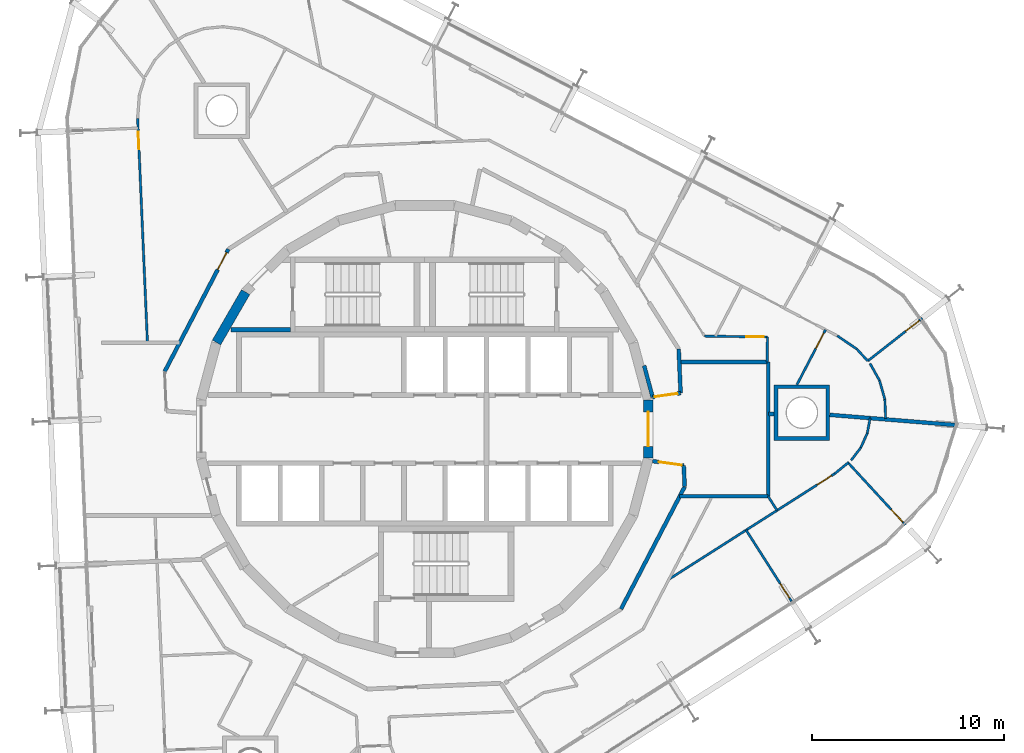
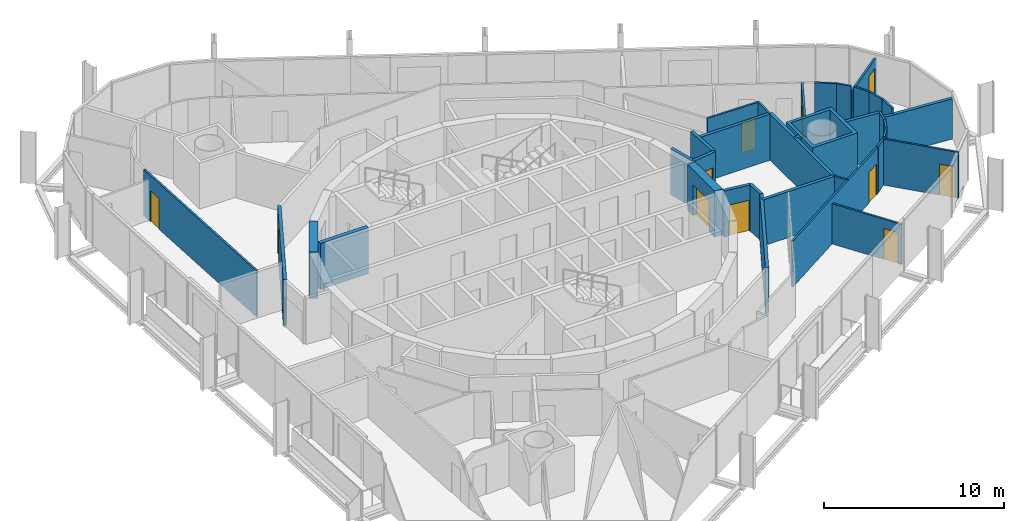
# One storey, part 14 of 17: 35 walls, 11 doors, 11 openings.
"""IFC4 building model written with IfcOpenShell, lengths in metres."""

from ifc_helpers import new_model, si_unit, direction, frame, frame_2d, origin, place, context, subcontext, project, spatial, polyline, rectangle, outline, extrude, material, layer, layer_set, type_object, element, fill, save


model = new_model("IFC4")

# Units and contexts
model_context = context("Model", 3, precision=1e-05, world=origin(), true_north=direction((0.0, 1.0)))
body_context = subcontext(model_context, "Body", "Model", "MODEL_VIEW")
ifc_project = project(units=[si_unit("LENGTHUNIT", "METRE"), si_unit("AREAUNIT", "SQUARE_METRE"), si_unit("VOLUMEUNIT", "CUBIC_METRE"), si_unit("PLANEANGLEUNIT", "RADIAN"), si_unit("MASSUNIT", "GRAM", prefix="KILO")], contexts=[model_context])

# Site, building, storey
site_placement = place(None, origin())
site = spatial("IfcSite", under=ifc_project, at=site_placement, CompositionType="ELEMENT")
building_placement = place(site_placement, origin())
building = spatial("IfcBuilding", under=site, at=building_placement, Name="Spindle Arch Residences", CompositionType="ELEMENT")
storey_placement = place(building_placement, frame((0.0, 0.0, 237.199951171875)))
storey = spatial("IfcBuildingStorey", under=building, at=storey_placement, Name="L60", CompositionType="ELEMENT", Elevation=237.199951171875)

# Wall, opening, door
ifc_material_1 = material(Name="Concrete C50/60", Category="concrete")
ifc_layer_1 = layer(ifc_material_1, 0.5)
ifc_layer_set_1 = layer_set([ifc_layer_1], Name="Core outline wall 500")
wall_type_1 = type_object("IfcWallType", Name="Core outline wall 500", PredefinedType="SHEAR", material=ifc_layer_set_1)
wall_1_placement = place(storey_placement, frame((11.647216796875, -1.516357421875, 0.0), z_axis=(0.0, 0.0, 1.0), x_axis=(0.0, 1.0, 0.0)))
wall_1 = element("IfcWall", 1, at=wall_1_placement, inside=storey, type_object=wall_type_1, Name="Core outline wall 6", PredefinedType="SHEAR", context=body_context, shape_type="SweptSolid", body=[
    extrude(rectangle(XDim=3.03271484375, YDim=0.5, at=frame_2d((1.516357421875, 0.0))), origin(), (0.0, 0.0, 1.0), 3.1201171875),
])
opening_1_placement = place(wall_1_placement, frame((0.6162109375, 0.0, 0.0)))
opening_1 = element("IfcOpeningElement", 2, at=opening_1_placement, cuts=wall_1, Name="Opening R6B1-FE01", PredefinedType="OPENING", context=body_context, shape_type="SweptSolid", body=[
    extrude(rectangle(XDim=1.800048828125, YDim=2.10009765625, at=frame_2d((0.89990234375, 1.050048828125))), frame((0.0, 0.260009765625, 0.0), z_axis=(0.0, -1.0, 0.0), x_axis=(1.0, 0.0, 0.0)), (0.0, 0.0, 1.0), 0.52001953125),
])
ifc_material_2 = material(Name="Steel, fire-resisting door", Category="steel")
door_type_1 = type_object("IfcDoorType", Name="Fire-lift lobby door 1800x2100", OperationType="DOUBLE_DOOR_SINGLE_SWING", PredefinedType="DOOR", material=ifc_material_2)
door_1_placement = place(opening_1_placement, origin())
door_1 = element("IfcDoor", 3, at=door_1_placement, inside=storey, type_object=door_type_1, Name="Fire-lift lobby door R6B1-FE01", OperationType="DOUBLE_DOOR_SINGLE_SWING", OverallHeight=2.10009765625, OverallWidth=1.800048828125, PredefinedType="DOOR", context=body_context, shape_type="SweptSolid", body=[
    extrude(rectangle(XDim=1.800048828125, YDim=2.10009765625, at=frame_2d((0.89990234375, 1.050048828125))), frame((0.0, 0.02490234375, 0.0), z_axis=(0.0, -1.0, 0.0), x_axis=(1.0, 0.0, 0.0)), (0.0, 0.0, 1.0), 0.050048828125),
])
fill(opening_1, door_1)

# Walls
wall_2_placement = place(storey_placement, frame((-9.32861328125, 7.13671875, 0.0), z_axis=(0.0, 0.0, 1.0), x_axis=(-0.500087131594, -0.865975092491, 0.0)))
element("IfcWall", 4, at=wall_2_placement, inside=storey, type_object=wall_type_1, Name="Core outline wall 16", PredefinedType="SHEAR", context=body_context, shape_type="SweptSolid", body=[
    extrude(rectangle(XDim=3.03271484375, YDim=0.5, at=frame_2d((1.516357421875, 0.0))), origin(), (0.0, 0.0, 1.0), 3.1201171875),
])
ifc_material_3 = material(Name="Calcium silicate block, plastered")
ifc_layer_2 = layer(ifc_material_3, 0.199951171875)
ifc_layer_set_2 = layer_set([ifc_layer_2], Name="Fire-lift lobby bay wall 200")
wall_type_2 = type_object("IfcWallType", Name="Fire-lift lobby bay wall 200", PredefinedType="STANDARD", material=ifc_layer_set_2)
wall_3_placement = place(storey_placement, frame((11.8701171875, 1.668212890625, 0.0), z_axis=(0.0, 0.0, 1.0), x_axis=(-0.258836880648, 0.965921047093, 0.0)))
element("IfcWall", 5, at=wall_3_placement, inside=storey, type_object=wall_type_2, Name="Fire-lift lobby bay wall R6B1-W001", PredefinedType="STANDARD", context=body_context, shape_type="SweptSolid", body=[
    extrude(rectangle(XDim=1.695068359375, YDim=0.199951171875, at=frame_2d((0.84765625, 0.0))), origin(), (0.0, 0.0, 1.0), 3.1201171875),
])

# Wall, opening, door
wall_4_placement = place(storey_placement, frame((11.8701171875, 1.668212890625, 0.0), z_axis=(0.0, 0.0, 1.0), x_axis=(0.990267985606, 0.139173692496, 0.0)))
wall_4 = element("IfcWall", 6, at=wall_4_placement, inside=storey, type_object=wall_type_2, Name="Fire-lift lobby bay wall R6B1-W002", PredefinedType="STANDARD", context=body_context, shape_type="SweptSolid", body=[
    extrude(rectangle(XDim=1.475341796875, YDim=0.199951171875, at=frame_2d((0.73779296875, 0.0))), origin(), (0.0, 0.0, 1.0), 3.1201171875),
])
opening_2_placement = place(wall_4_placement, frame((0.110107421875, 0.0, 0.0)))
opening_2 = element("IfcOpeningElement", 7, at=opening_2_placement, cuts=wall_4, Name="Opening R6B1-CD01", PredefinedType="OPENING", context=body_context, shape_type="SweptSolid", body=[
    extrude(rectangle(XDim=1.199951171875, YDim=2.10009765625, at=frame_2d((0.60009765625, 1.050048828125))), frame((0.0, 0.10986328125, 0.0), z_axis=(0.0, -1.0, 0.0), x_axis=(1.0, 0.0, 0.0)), (0.0, 0.0, 1.0), 0.219970703125),
])
ifc_material_4 = material(Name="Steel, fire-resisting door", Category="steel")
door_type_2 = type_object("IfcDoorType", Name="Corridor division door 1200x2100", OperationType="NOTDEFINED", PredefinedType="DOOR", material=ifc_material_4)
door_2_placement = place(opening_2_placement, origin())
door_2 = element("IfcDoor", 8, at=door_2_placement, inside=storey, type_object=door_type_2, Name="Corridor division door R6B1-CD01", OperationType="DOUBLE_DOOR_SINGLE_SWING", OverallHeight=2.10009765625, OverallWidth=1.199951171875, PredefinedType="DOOR", context=body_context, shape_type="SweptSolid", body=[
    extrude(rectangle(XDim=1.199951171875, YDim=2.10009765625, at=frame_2d((0.60009765625, 1.050048828125))), frame((0.0, 0.02490234375, 0.0), z_axis=(0.0, -1.0, 0.0), x_axis=(1.0, 0.0, 0.0)), (0.0, 0.0, 1.0), 0.050048828125),
])
fill(opening_2, door_2)

# Walls
wall_5_placement = place(storey_placement, frame((13.3310546875, 1.87353515625, 0.0), z_axis=(0.0, 0.0, 1.0), x_axis=(-0.043621457762, 0.999048131184, 0.0)))
element("IfcWall", 9, at=wall_5_placement, inside=storey, type_object=wall_type_2, Name="Fire-lift lobby bay wall R6B1-W003", PredefinedType="STANDARD", context=body_context, shape_type="SweptSolid", body=[
    extrude(rectangle(XDim=2.30029296875, YDim=0.199951171875, at=frame_2d((1.150146484375, 0.0))), origin(), (0.0, 0.0, 1.0), 3.1201171875),
])
wall_6_placement = place(storey_placement, frame((10.22802734375, -9.372314453125, 0.0), z_axis=(0.0, 0.0, 1.0), x_axis=(0.461759464021, 0.887005184532, 0.0)))
element("IfcWall", 10, at=wall_6_placement, inside=storey, type_object=wall_type_2, Name="Fire-lift lobby bay wall R6B1-W013", PredefinedType="STANDARD", context=body_context, shape_type="SweptSolid", body=[
    extrude(rectangle(XDim=7.18115234375, YDim=0.199951171875, at=frame_2d((3.590576171875, 0.0))), origin(), (0.0, 0.0, 1.0), 3.1201171875),
])
wall_7_placement = place(storey_placement, frame((13.5439453125, -3.002685546875, 0.0), z_axis=(0.0, 0.0, 1.0), x_axis=(-0.043666917606, 0.999046145234, 0.0)))
element("IfcWall", 11, at=wall_7_placement, inside=storey, type_object=wall_type_2, Name="Fire-lift lobby bay wall R6B1-W014", PredefinedType="STANDARD", context=body_context, shape_type="SweptSolid", body=[
    extrude(rectangle(XDim=1.10693359375, YDim=0.199951171875, at=frame_2d((0.553466796875, 0.0))), origin(), (0.0, 0.0, 1.0), 3.1201171875),
])

# Wall, opening, door
wall_8_placement = place(storey_placement, frame((13.49560546875, -1.896728515625, 0.0), z_axis=(0.0, 0.0, 1.0), x_axis=(-0.99026234641, 0.139213811391, 0.0)))
wall_8 = element("IfcWall", 12, at=wall_8_placement, inside=storey, type_object=wall_type_2, Name="Fire-lift lobby bay wall R6B1-W015", PredefinedType="STANDARD", context=body_context, shape_type="SweptSolid", body=[
    extrude(rectangle(XDim=1.641357421875, YDim=0.199951171875, at=frame_2d((0.82080078125, 0.0))), origin(), (0.0, 0.0, 1.0), 3.1201171875),
])
opening_3_placement = place(wall_8_placement, frame((0.110107421875, 0.0, 0.0)))
opening_3 = element("IfcOpeningElement", 13, at=opening_3_placement, cuts=wall_8, Name="Opening R6B1-CD02", PredefinedType="OPENING", context=body_context, shape_type="SweptSolid", body=[
    extrude(rectangle(XDim=1.199951171875, YDim=2.10009765625, at=frame_2d((0.60009765625, 1.050048828125))), frame((0.0, 0.10986328125, 0.0), z_axis=(0.0, -1.0, 0.0), x_axis=(1.0, 0.0, 0.0)), (0.0, 0.0, 1.0), 0.219970703125),
])
door_3_placement = place(opening_3_placement, origin())
door_3 = element("IfcDoor", 14, at=door_3_placement, inside=storey, type_object=door_type_2, Name="Corridor division door R6B1-CD02", OperationType="DOUBLE_DOOR_SINGLE_SWING", OverallHeight=2.10009765625, OverallWidth=1.199951171875, PredefinedType="DOOR", context=body_context, shape_type="SweptSolid", body=[
    extrude(rectangle(XDim=1.199951171875, YDim=2.10009765625, at=frame_2d((0.60009765625, 1.050048828125))), frame((0.0, 0.02490234375, 0.0), z_axis=(0.0, -1.0, 0.0), x_axis=(1.0, 0.0, 0.0)), (0.0, 0.0, 1.0), 0.050048828125),
])
fill(opening_3, door_3)

# Walls
wall_9_placement = place(storey_placement, frame((17.83740234375, 3.5, 0.0), z_axis=(0.0, 0.0, 1.0), x_axis=(-1.0, 0.0, 0.0)))
element("IfcWall", 15, at=wall_9_placement, inside=storey, type_object=wall_type_2, Name="Fire-lift lobby bay wall R6B1-W024", PredefinedType="STANDARD", context=body_context, shape_type="SweptSolid", body=[
    extrude(rectangle(XDim=4.577392578125, YDim=0.199951171875, at=frame_2d((2.28857421875, 0.0))), origin(), (0.0, 0.0, 1.0), 3.1201171875),
])
wall_10_placement = place(storey_placement, frame((17.89990234375, -3.5, 0.0), z_axis=(0.0, 0.0, 1.0), x_axis=(0.0, 1.0, 0.0)))
element("IfcWall", 16, at=wall_10_placement, inside=storey, type_object=wall_type_2, Name="Fire-lift lobby bay wall R6B1-W025", PredefinedType="STANDARD", context=body_context, shape_type="SweptSolid", body=[
    extrude(rectangle(XDim=7.0, YDim=0.199951171875, at=frame_2d((3.5, 0.0))), origin(), (0.0, 0.0, 1.0), 3.1201171875),
])
wall_11_placement = place(storey_placement, frame((13.284912109375, -3.5, 0.0), z_axis=(0.0, 0.0, 1.0), x_axis=(1.0, 0.0, 0.0)))
element("IfcWall", 17, at=wall_11_placement, inside=storey, type_object=wall_type_2, Name="Fire-lift lobby bay wall R6B1-W026", PredefinedType="STANDARD", context=body_context, shape_type="SweptSolid", body=[
    extrude(rectangle(XDim=4.60107421875, YDim=0.199951171875, at=frame_2d((2.300537109375, 0.0))), origin(), (0.0, 0.0, 1.0), 3.1201171875),
])
ifc_material_5 = material(Name="Plasterboard on steel studs", Category="steel")
ifc_layer_3 = layer(ifc_material_5, 0.1201171875)
ifc_layer_set_3 = layer_set([ifc_layer_3], Name="Flat partition 120")
wall_type_3 = type_object("IfcWallType", Name="Flat partition 120", PredefinedType="PARTITIONING", material=ifc_layer_set_3)
wall_12_placement = place(storey_placement, frame((17.83740234375, 3.5, 0.0), z_axis=(0.0, 0.0, 1.0), x_axis=(0.014687681009, 0.999892130195, 0.0)))
element("IfcWall", 18, at=wall_12_placement, inside=storey, type_object=wall_type_3, Name="Flat partition R6B1-W037", PredefinedType="PARTITIONING", context=body_context, shape_type="SweptSolid", body=[
    extrude(rectangle(XDim=1.296630859375, YDim=0.1201171875, at=frame_2d((0.6484375, 0.0))), origin(), (0.0, 0.0, 1.0), 3.1201171875),
])

# Wall, opening, door
wall_13_placement = place(storey_placement, frame((17.8564453125, 4.79638671875, 0.0), z_axis=(0.0, 0.0, 1.0), x_axis=(-0.999890074231, 0.014826983962, 0.0)))
wall_13 = element("IfcWall", 19, at=wall_13_placement, inside=storey, type_object=wall_type_3, Name="Flat partition R6B1-W038", PredefinedType="PARTITIONING", context=body_context, shape_type="SweptSolid", body=[
    extrude(rectangle(XDim=3.276611328125, YDim=0.1201171875, at=frame_2d((1.63818359375, 0.0))), origin(), (0.0, 0.0, 1.0), 3.1201171875),
])
opening_4_placement = place(wall_13_placement, frame((0.199951171875, 0.0, 0.0)))
opening_4 = element("IfcOpeningElement", 20, at=opening_4_placement, cuts=wall_13, Name="Opening R6B1-ID01", PredefinedType="OPENING", context=body_context, shape_type="SweptSolid", body=[
    extrude(rectangle(XDim=0.89990234375, YDim=2.10009765625, at=frame_2d((0.449951171875, 1.050048828125))), frame((0.0, 0.070068359375, 0.0), z_axis=(0.0, -1.0, 0.0), x_axis=(1.0, 0.0, 0.0)), (0.0, 0.0, 1.0), 0.14013671875),
])
ifc_material_6 = material(Name="Timber door set", Category="wood")
door_type_3 = type_object("IfcDoorType", Name="Room door 900x2100", OperationType="NOTDEFINED", PredefinedType="DOOR", material=ifc_material_6)
door_4_placement = place(opening_4_placement, origin())
door_4 = element("IfcDoor", 21, at=door_4_placement, inside=storey, type_object=door_type_3, Name="Room door R6B1-ID01", OperationType="SINGLE_SWING_LEFT", OverallHeight=2.10009765625, OverallWidth=0.89990234375, PredefinedType="DOOR", context=body_context, shape_type="SweptSolid", body=[
    extrude(rectangle(XDim=0.89990234375, YDim=2.10009765625, at=frame_2d((0.449951171875, 1.050048828125))), frame((0.0, 0.02490234375, 0.0), z_axis=(0.0, -1.0, 0.0), x_axis=(1.0, 0.0, 0.0)), (0.0, 0.0, 1.0), 0.050048828125),
])
fill(opening_4, door_4)

# Walls
for number, where, z_axis, x_axis, name in (
    (22, (23.197265625, 3.419677734375, 0.0), (0.0, 0.0, 1.0), (0.487315027955, -0.873226238456, 0.0), "Flat partition R6B1-W040"),
    (23, (23.6923828125, 2.532470703125, 0.0), (0.0, 0.0, 1.0), (0.272721198141, -0.962093107804, 0.0), "Flat partition R6B1-W041"),
):
    element("IfcWall", number, at=place(storey_placement, frame(where, z_axis=z_axis, x_axis=x_axis)), inside=storey, type_object=wall_type_3, Name=name, PredefinedType="PARTITIONING", context=body_context, shape_type="SweptSolid", body=[
        extrude(rectangle(XDim=1.01611328125, YDim=0.1201171875, at=frame_2d((0.508056640625, 0.0))), origin(), (0.0, 0.0, 1.0), 3.1201171875),
    ])
wall_14_placement = place(storey_placement, frame((23.969482421875, 1.554931640625, 0.0), z_axis=(0.0, 0.0, 1.0), x_axis=(0.043739672645, -0.999042962558, 0.0)))
element("IfcWall", 24, at=wall_14_placement, inside=storey, type_object=wall_type_3, Name="Flat partition R6B1-W042", PredefinedType="PARTITIONING", context=body_context, shape_type="SweptSolid", body=[
    extrude(rectangle(XDim=1.015869140625, YDim=0.1201171875, at=frame_2d((0.5078125, 0.0))), origin(), (0.0, 0.0, 1.0), 3.1201171875),
])

# Wall, opening, door
wall_15_placement = place(storey_placement, frame((20.88232421875, 5.177001953125, 0.0), z_axis=(0.0, 0.0, 1.0), x_axis=(-0.461706806129, -0.887032595328, 0.0)))
wall_15 = element("IfcWall", 25, at=wall_15_placement, inside=storey, type_object=wall_type_3, Name="Flat partition R6B1-W044", PredefinedType="PARTITIONING", context=body_context, shape_type="SweptSolid", body=[
    extrude(rectangle(XDim=3.234619140625, YDim=0.1201171875, at=frame_2d((1.6171875, 0.0))), origin(), (0.0, 0.0, 1.0), 3.1201171875),
])
opening_5_placement = place(wall_15_placement, frame((0.199951171875, 0.0, 0.0)))
opening_5 = element("IfcOpeningElement", 26, at=opening_5_placement, cuts=wall_15, Name="Opening R6B1-ID02", PredefinedType="OPENING", context=body_context, shape_type="SweptSolid", body=[
    extrude(rectangle(XDim=0.89990234375, YDim=2.10009765625, at=frame_2d((0.449951171875, 1.050048828125))), frame((0.0, 0.070068359375, 0.0), z_axis=(0.0, -1.0, 0.0), x_axis=(1.0, 0.0, 0.0)), (0.0, 0.0, 1.0), 0.14013671875),
])
door_5_placement = place(opening_5_placement, origin())
door_5 = element("IfcDoor", 27, at=door_5_placement, inside=storey, type_object=door_type_3, Name="Room door R6B1-ID02", OperationType="SINGLE_SWING_LEFT", OverallHeight=2.10009765625, OverallWidth=0.89990234375, PredefinedType="DOOR", context=body_context, shape_type="SweptSolid", body=[
    extrude(rectangle(XDim=0.89990234375, YDim=2.10009765625, at=frame_2d((0.449951171875, 1.050048828125))), frame((0.0, 0.02490234375, 0.0), z_axis=(0.0, -1.0, 0.0), x_axis=(1.0, 0.0, 0.0)), (0.0, 0.0, 1.0), 0.050048828125),
])
fill(opening_5, door_5)

# Walls
wall_16_placement = place(storey_placement, frame((23.080078125, 3.54736328125, 0.0), z_axis=(0.0, 0.0, 1.0), x_axis=(-0.67556712677, 0.737298485844, 0.0)))
element("IfcWall", 28, at=wall_16_placement, inside=storey, type_object=wall_type_3, Name="Flat partition R6B1-W045", PredefinedType="PARTITIONING", context=body_context, shape_type="SweptSolid", body=[
    extrude(rectangle(XDim=0.84228515625, YDim=0.1201171875, at=frame_2d((0.421142578125, 0.0))), origin(), (0.0, 0.0, 1.0), 3.1201171875),
])
wall_17_placement = place(storey_placement, frame((22.510986328125, 4.16845703125, 0.0), z_axis=(0.0, 0.0, 1.0), x_axis=(-0.82733707504, 0.561705763068, 0.0)))
element("IfcWall", 29, at=wall_17_placement, inside=storey, type_object=wall_type_3, Name="Flat partition R6B1-W046", PredefinedType="PARTITIONING", context=body_context, shape_type="SweptSolid", body=[
    extrude(rectangle(XDim=1.22705078125, YDim=0.1201171875, at=frame_2d((0.613525390625, 0.0))), origin(), (0.0, 0.0, 1.0), 3.1201171875),
])

# Wall, opening, door
wall_18_placement = place(storey_placement, frame((-14.95458984375, 16.18701171875, 0.0), z_axis=(0.0, 0.0, 1.0), x_axis=(0.04360777668, -0.999048728448, 0.0)))
wall_18 = element("IfcWall", 30, at=wall_18_placement, inside=storey, type_object=wall_type_3, Name="Flat partition R6B1-W068", PredefinedType="PARTITIONING", context=body_context, shape_type="SweptSolid", body=[
    extrude(rectangle(XDim=11.6787109375, YDim=0.1201171875, at=frame_2d((5.83935546875, 0.0))), origin(), (0.0, 0.0, 1.0), 3.1201171875),
])
opening_6_placement = place(wall_18_placement, frame((0.708740234375, 0.0, 0.0)))
opening_6 = element("IfcOpeningElement", 31, at=opening_6_placement, cuts=wall_18, Name="Opening R6B1-ID11", PredefinedType="OPENING", context=body_context, shape_type="SweptSolid", body=[
    extrude(rectangle(XDim=0.89990234375, YDim=2.10009765625, at=frame_2d((0.449951171875, 1.050048828125))), frame((0.0, 0.070068359375, 0.0), z_axis=(0.0, -1.0, 0.0), x_axis=(1.0, 0.0, 0.0)), (0.0, 0.0, 1.0), 0.14013671875),
])
door_6_placement = place(opening_6_placement, origin())
door_6 = element("IfcDoor", 32, at=door_6_placement, inside=storey, type_object=door_type_3, Name="Room door R6B1-ID11", OperationType="SINGLE_SWING_LEFT", OverallHeight=2.10009765625, OverallWidth=0.89990234375, PredefinedType="DOOR", context=body_context, shape_type="SweptSolid", body=[
    extrude(rectangle(XDim=0.89990234375, YDim=2.10009765625, at=frame_2d((0.449951171875, 1.050048828125))), frame((0.0, 0.02490234375, 0.0), z_axis=(0.0, -1.0, 0.0), x_axis=(1.0, 0.0, 0.0)), (0.0, 0.0, 1.0), 0.050048828125),
])
fill(opening_6, door_6)

wall_19_placement = place(storey_placement, frame((21.3681640625, -2.31591796875, 0.0), z_axis=(0.0, 0.0, 1.0), x_axis=(-0.843388627156, -0.537304032726, 0.0)))
wall_19 = element("IfcWall", 33, at=wall_19_placement, inside=storey, type_object=wall_type_3, Name="Flat partition R6B1-W098", PredefinedType="PARTITIONING", context=body_context, shape_type="SweptSolid", body=[
    extrude(rectangle(XDim=10.246337890625, YDim=0.1201171875, at=frame_2d((5.123046875, 0.0))), origin(), (0.0, 0.0, 1.0), 3.1201171875),
])
opening_7_placement = place(wall_19_placement, frame((0.199951171875, 0.0, 0.0)))
opening_7 = element("IfcOpeningElement", 34, at=opening_7_placement, cuts=wall_19, Name="Opening R6B1-ID25", PredefinedType="OPENING", context=body_context, shape_type="SweptSolid", body=[
    extrude(rectangle(XDim=0.89990234375, YDim=2.10009765625, at=frame_2d((0.449951171875, 1.050048828125))), frame((0.0, 0.070068359375, 0.0), z_axis=(0.0, -1.0, 0.0), x_axis=(1.0, 0.0, 0.0)), (0.0, 0.0, 1.0), 0.14013671875),
])
door_7_placement = place(opening_7_placement, origin())
door_7 = element("IfcDoor", 35, at=door_7_placement, inside=storey, type_object=door_type_3, Name="Room door R6B1-ID25", OperationType="SINGLE_SWING_LEFT", OverallHeight=2.10009765625, OverallWidth=0.89990234375, PredefinedType="DOOR", context=body_context, shape_type="SweptSolid", body=[
    extrude(rectangle(XDim=0.89990234375, YDim=2.10009765625, at=frame_2d((0.449951171875, 1.050048828125))), frame((0.0, 0.02490234375, 0.0), z_axis=(0.0, -1.0, 0.0), x_axis=(1.0, 0.0, 0.0)), (0.0, 0.0, 1.0), 0.050048828125),
])
fill(opening_7, door_7)

# Walls
wall_20_placement = place(storey_placement, frame((18.354736328125, -4.235595703125, 0.0), z_axis=(0.0, 0.0, 1.0), x_axis=(-0.537400605047, 0.843327095316, 0.0)))
element("IfcWall", 36, at=wall_20_placement, inside=storey, type_object=wall_type_3, Name="Flat partition R6B1-W100", PredefinedType="PARTITIONING", context=body_context, shape_type="SweptSolid", body=[
    extrude(rectangle(XDim=0.872314453125, YDim=0.1201171875, at=frame_2d((0.43603515625, 0.0))), origin(), (0.0, 0.0, 1.0), 3.1201171875),
])
wall_21_placement = place(storey_placement, frame((22.08837890625, -1.72900390625, 0.0), z_axis=(0.0, 0.0, 1.0), x_axis=(-0.775196856296, -0.631719743232, 0.0)))
element("IfcWall", 37, at=wall_21_placement, inside=storey, type_object=wall_type_3, Name="Flat partition R6B1-W101", PredefinedType="PARTITIONING", context=body_context, shape_type="SweptSolid", body=[
    extrude(rectangle(XDim=0.928955078125, YDim=0.1201171875, at=frame_2d((0.46435546875, 0.0))), origin(), (0.0, 0.0, 1.0), 3.1201171875),
])

# Wall, opening, door
wall_22_placement = place(storey_placement, frame((25.044921875, -4.995849609375, 0.0), z_axis=(0.0, 0.0, 1.0), x_axis=(-0.677690998913, 0.735346795731, 0.0)))
wall_22 = element("IfcWall", 38, at=wall_22_placement, inside=storey, type_object=wall_type_3, Name="Flat partition R6B1-W102", PredefinedType="PARTITIONING", context=body_context, shape_type="SweptSolid", body=[
    extrude(rectangle(XDim=4.407958984375, YDim=0.1201171875, at=frame_2d((2.2041015625, 0.0))), origin(), (0.0, 0.0, 1.0), 3.1201171875),
])
opening_8_placement = place(wall_22_placement, frame((0.199951171875, 0.0, 0.0)))
opening_8 = element("IfcOpeningElement", 39, at=opening_8_placement, cuts=wall_22, Name="Opening R6B1-ID26", PredefinedType="OPENING", context=body_context, shape_type="SweptSolid", body=[
    extrude(rectangle(XDim=0.89990234375, YDim=2.10009765625, at=frame_2d((0.449951171875, 1.050048828125))), frame((0.0, 0.070068359375, 0.0), z_axis=(0.0, -1.0, 0.0), x_axis=(1.0, 0.0, 0.0)), (0.0, 0.0, 1.0), 0.14013671875),
])
door_8_placement = place(opening_8_placement, origin())
door_8 = element("IfcDoor", 40, at=door_8_placement, inside=storey, type_object=door_type_3, Name="Room door R6B1-ID26", OperationType="SINGLE_SWING_RIGHT", OverallHeight=2.10009765625, OverallWidth=0.89990234375, PredefinedType="DOOR", context=body_context, shape_type="SweptSolid", body=[
    extrude(rectangle(XDim=0.89990234375, YDim=2.10009765625, at=frame_2d((0.449951171875, 1.050048828125))), frame((0.0, 0.02490234375, 0.0), z_axis=(0.0, -1.0, 0.0), x_axis=(1.0, 0.0, 0.0)), (0.0, 0.0, 1.0), 0.050048828125),
])
fill(opening_8, door_8)

# Walls
wall_23_placement = place(storey_placement, frame((22.210693359375, -1.62939453125, 0.0), z_axis=(0.0, 0.0, 1.0), x_axis=(0.60891358868, 0.793236560882, 0.0)))
element("IfcWall", 41, at=wall_23_placement, inside=storey, type_object=wall_type_3, Name="Flat partition R6B1-W103", PredefinedType="PARTITIONING", context=body_context, shape_type="SweptSolid", body=[
    extrude(rectangle(XDim=0.8291015625, YDim=0.1201171875, at=frame_2d((0.41455078125, 0.0))), origin(), (0.0, 0.0, 1.0), 3.1201171875),
])
wall_24_placement = place(storey_placement, frame((22.715576171875, -0.9716796875, 0.0), z_axis=(0.0, 0.0, 1.0), x_axis=(0.409335118315, 0.91238410821, 0.0)))
element("IfcWall", 42, at=wall_24_placement, inside=storey, type_object=wall_type_3, Name="Flat partition R6B1-W104", PredefinedType="PARTITIONING", context=body_context, shape_type="SweptSolid", body=[
    extrude(rectangle(XDim=0.828369140625, YDim=0.1201171875, at=frame_2d((0.4140625, 0.0))), origin(), (0.0, 0.0, 1.0), 3.1201171875),
])
wall_25_placement = place(storey_placement, frame((23.0546875, -0.2158203125, 0.0), z_axis=(0.0, 0.0, 1.0), x_axis=(0.18778445718, 0.982210261421, 0.0)))
element("IfcWall", 43, at=wall_25_placement, inside=storey, type_object=wall_type_3, Name="Flat partition R6B1-W105", PredefinedType="PARTITIONING", context=body_context, shape_type="SweptSolid", body=[
    extrude(rectangle(XDim=0.80078125, YDim=0.1201171875, at=frame_2d((0.400390625, 0.0))), origin(), (0.0, 0.0, 1.0), 3.1201171875),
])

# Wall, opening, door
ifc_material_7 = material(Name="Plasterboard on steel studs", Category="steel")
ifc_layer_4 = layer(ifc_material_7, 0.1201171875)
ifc_layer_set_4 = layer_set([ifc_layer_4], Name="Flat partition 120 under beam 2730")
wall_type_4 = type_object("IfcWallType", Name="Flat partition 120 under beam 2730", PredefinedType="PARTITIONING", material=ifc_layer_set_4)
wall_26_placement = place(storey_placement, frame((25.921630859375, 5.775146484375, 0.0), z_axis=(0.0, 0.0, 1.0), x_axis=(-0.786972505765, -0.616988067283, 0.0)))
wall_26 = element("IfcWall", 44, at=wall_26_placement, inside=storey, type_object=wall_type_4, Name="Flat partition R6B1-W043", PredefinedType="PARTITIONING", context=body_context, shape_type="SweptSolid", body=[
    extrude(rectangle(XDim=3.61083984375, YDim=0.1201171875, at=frame_2d((1.805419921875, 0.0))), origin(), (0.0, 0.0, 1.0), 2.72998046875),
])
opening_9_placement = place(wall_26_placement, frame((0.199951171875, 0.0, 0.0)))
opening_9 = element("IfcOpeningElement", 45, at=opening_9_placement, cuts=wall_26, Name="Opening R6B1-ID05", PredefinedType="OPENING", context=body_context, shape_type="SweptSolid", body=[
    extrude(rectangle(XDim=0.89990234375, YDim=2.10009765625, at=frame_2d((0.449951171875, 1.050048828125))), frame((0.0, 0.070068359375, 0.0), z_axis=(0.0, -1.0, 0.0), x_axis=(1.0, 0.0, 0.0)), (0.0, 0.0, 1.0), 0.14013671875),
])
door_9_placement = place(opening_9_placement, origin())
door_9 = element("IfcDoor", 46, at=door_9_placement, inside=storey, type_object=door_type_3, Name="Room door R6B1-ID05", OperationType="SINGLE_SWING_LEFT", OverallHeight=2.10009765625, OverallWidth=0.89990234375, PredefinedType="DOOR", context=body_context, shape_type="SweptSolid", body=[
    extrude(rectangle(XDim=0.89990234375, YDim=2.10009765625, at=frame_2d((0.449951171875, 1.050048828125))), frame((0.0, 0.02490234375, 0.0), z_axis=(0.0, -1.0, 0.0), x_axis=(1.0, 0.0, 0.0)), (0.0, 0.0, 1.0), 0.050048828125),
])
fill(opening_9, door_9)

wall_27_placement = place(storey_placement, frame((19.108642578125, -8.972412109375, 0.0), z_axis=(0.0, 0.0, 1.0), x_axis=(-0.537345751125, 0.843362047847, 0.0)))
wall_27 = element("IfcWall", 47, at=wall_27_placement, inside=storey, type_object=wall_type_4, Name="Flat partition R6B1-W099", PredefinedType="PARTITIONING", context=body_context, shape_type="SweptSolid", body=[
    extrude(rectangle(XDim=4.39990234375, YDim=0.1201171875, at=frame_2d((2.199951171875, 0.0))), origin(), (0.0, 0.0, 1.0), 2.72998046875),
])
opening_10_placement = place(wall_27_placement, frame((0.199951171875, 0.0, 0.0)))
opening_10 = element("IfcOpeningElement", 48, at=opening_10_placement, cuts=wall_27, Name="Opening R6B1-ID24", PredefinedType="OPENING", context=body_context, shape_type="SweptSolid", body=[
    extrude(rectangle(XDim=0.89990234375, YDim=2.10009765625, at=frame_2d((0.449951171875, 1.050048828125))), frame((0.0, 0.070068359375, 0.0), z_axis=(0.0, -1.0, 0.0), x_axis=(1.0, 0.0, 0.0)), (0.0, 0.0, 1.0), 0.14013671875),
])
door_10_placement = place(opening_10_placement, origin())
door_10 = element("IfcDoor", 49, at=door_10_placement, inside=storey, type_object=door_type_3, Name="Room door R6B1-ID24", OperationType="SINGLE_SWING_RIGHT", OverallHeight=2.10009765625, OverallWidth=0.89990234375, PredefinedType="DOOR", context=body_context, shape_type="SweptSolid", body=[
    extrude(rectangle(XDim=0.89990234375, YDim=2.10009765625, at=frame_2d((0.449951171875, 1.050048828125))), frame((0.0, 0.02490234375, 0.0), z_axis=(0.0, -1.0, 0.0), x_axis=(1.0, 0.0, 0.0)), (0.0, 0.0, 1.0), 0.050048828125),
])
fill(opening_10, door_10)

# Walls
ifc_material_8 = material(Name="Calcium silicate block, plastered")
ifc_layer_5 = layer(ifc_material_8, 0.199951171875)
ifc_layer_set_5 = layer_set([ifc_layer_5], Name="Flat party wall 200")
wall_type_5 = type_object("IfcWallType", Name="Flat party wall 200", PredefinedType="STANDARD", material=ifc_layer_set_5)
wall_28_placement = place(storey_placement, frame((21.10009765625, 0.74072265625, 0.0), z_axis=(0.0, 0.0, 1.0), x_axis=(0.996757677143, -0.080461997598, 0.0)))
element("IfcWall", 50, at=wall_28_placement, inside=storey, type_object=wall_type_5, Name="Flat party wall R6B1-W029", PredefinedType="STANDARD", context=body_context, shape_type="SweptSolid", body=[
    extrude(rectangle(XDim=2.11181640625, YDim=0.199951171875, at=frame_2d((1.055908203125, 0.0))), origin(), (0.0, 0.0, 1.0), 3.1201171875),
])
wall_29_placement = place(storey_placement, frame((17.919921875, 0.782470703125, 0.0), z_axis=(0.0, 0.0, 1.0), x_axis=(0.999051221661, 0.04355061995, 0.0)))
element("IfcWall", 51, at=wall_29_placement, inside=storey, type_object=wall_type_5, Name="Flat party wall R6B1-W030", PredefinedType="STANDARD", context=body_context, shape_type="SweptSolid", body=[
    extrude(rectangle(XDim=0.2802734375, YDim=0.199951171875, at=frame_2d((0.14013671875, 0.0))), origin(), (0.0, 0.0, 1.0), 3.1201171875),
])
ifc_material_9 = material(Name="Calcium silicate block, plastered")
ifc_layer_6 = layer(ifc_material_9, 0.199951171875)
ifc_layer_set_6 = layer_set([ifc_layer_6], Name="Flat party wall 200 under beam 2730")
wall_type_6 = type_object("IfcWallType", Name="Flat party wall 200 under beam 2730", PredefinedType="STANDARD", material=ifc_layer_set_6)
wall_30_placement = place(storey_placement, frame((23.205078125, 0.57080078125, 0.0), z_axis=(0.0, 0.0, 1.0), x_axis=(0.996747395793, -0.080589260944, 0.0)))
element("IfcWall", 52, at=wall_30_placement, inside=storey, type_object=wall_type_6, Name="Flat party wall R6B1-W028", PredefinedType="STANDARD", context=body_context, shape_type="SweptSolid", body=[
    extrude(rectangle(XDim=4.426025390625, YDim=0.199951171875, at=frame_2d((2.212890625, 0.0))), origin(), (0.0, 0.0, 1.0), 2.72998046875),
])

# Wall, opening, door
ifc_material_10 = material(Name="Calcium silicate block, plastered")
ifc_layer_7 = layer(ifc_material_10, 0.199951171875)
ifc_layer_set_7 = layer_set([ifc_layer_7], Name="Lift lobby bay wall 200")
wall_type_7 = type_object("IfcWallType", Name="Lift lobby bay wall 200", PredefinedType="STANDARD", material=ifc_layer_set_7)
wall_31_placement = place(storey_placement, frame((-10.22802734375, 9.372314453125, 0.0), z_axis=(0.0, 0.0, 1.0), x_axis=(-0.461759464021, -0.887005184532, 0.0)))
wall_31 = element("IfcWall", 53, at=wall_31_placement, inside=storey, type_object=wall_type_7, Name="Lift lobby bay wall R6B1-W007", PredefinedType="STANDARD", context=body_context, shape_type="SweptSolid", body=[
    extrude(rectangle(XDim=7.18115234375, YDim=0.199951171875, at=frame_2d((3.590576171875, 0.0))), origin(), (0.0, 0.0, 1.0), 3.1201171875),
])
opening_11_placement = place(wall_31_placement, frame((0.199951171875, 0.0, 0.0)))
opening_11 = element("IfcOpeningElement", 54, at=opening_11_placement, cuts=wall_31, Name="Opening R6B1-FD03", PredefinedType="OPENING", context=body_context, shape_type="SweptSolid", body=[
    extrude(rectangle(XDim=1.0, YDim=2.10009765625, at=frame_2d((0.5, 1.050048828125))), frame((0.0, 0.10986328125, 0.0), z_axis=(0.0, -1.0, 0.0), x_axis=(1.0, 0.0, 0.0)), (0.0, 0.0, 1.0), 0.219970703125),
])
ifc_material_11 = material(Name="Timber, fire-resisting door set", Category="wood")
door_type_4 = type_object("IfcDoorType", Name="Flat entrance door 1000x2100", OperationType="NOTDEFINED", PredefinedType="DOOR", material=ifc_material_11)
door_11_placement = place(opening_11_placement, origin())
door_11 = element("IfcDoor", 55, at=door_11_placement, inside=storey, type_object=door_type_4, Name="Flat entrance door R6B1-FD03", OperationType="SINGLE_SWING_LEFT", OverallHeight=2.10009765625, OverallWidth=1.0, PredefinedType="DOOR", context=body_context, shape_type="SweptSolid", body=[
    extrude(rectangle(XDim=1.0, YDim=2.10009765625, at=frame_2d((0.5, 1.050048828125))), frame((0.0, 0.02490234375, 0.0), z_axis=(0.0, -1.0, 0.0), x_axis=(1.0, 0.0, 0.0)), (0.0, 0.0, 1.0), 0.050048828125),
])
fill(opening_11, door_11)

# Walls
ifc_material_12 = material(Name="Calcium silicate block, plastered")
ifc_layer_8 = layer(ifc_material_12, 0.199951171875)
ifc_layer_set_8 = layer_set([ifc_layer_8], Name="Mega-column casing wall 200")
wall_type_8 = type_object("IfcWallType", Name="Mega-column casing wall 200", PredefinedType="STANDARD", material=ifc_layer_set_8)
wall_32_placement = place(storey_placement, origin())
element("IfcWall", 56, at=wall_32_placement, inside=storey, type_object=wall_type_8, Name="Mega-column casing wall R6B1-WC01", PredefinedType="STANDARD", context=body_context, shape_type="SweptSolid", body=[
    extrude(outline(polyline([(21.10009765625, 2.307861328125), (21.10009765625, -0.592041015625), (18.199951171875, -0.592041015625), (18.199951171875, 2.307861328125), (21.10009765625, 2.307861328125)]), holes=[polyline([(18.39990234375, -0.39208984375), (20.89990234375, -0.39208984375), (20.89990234375, 2.10791015625), (18.39990234375, 2.10791015625), (18.39990234375, -0.39208984375)])]), origin(), (0.0, 0.0, 1.0), 3.1201171875),
])
ifc_material_13 = material(Name="Concrete C40/50", Category="concrete")
ifc_layer_9 = layer(ifc_material_13, 0.25)
ifc_layer_set_9 = layer_set([ifc_layer_9], Name="Stair airlock wall 250")
wall_type_9 = type_object("IfcWallType", Name="Stair airlock wall 250", PredefinedType="SHEAR", material=ifc_layer_set_9)
wall_33_placement = place(storey_placement, frame((-7.0, 5.175048828125, 0.0), z_axis=(0.0, 0.0, 1.0), x_axis=(-1.0, 0.0, 0.0)))
element("IfcWall", 57, at=wall_33_placement, inside=storey, type_object=wall_type_9, Name="Stair ST-2 airlock wall S", PredefinedType="SHEAR", context=body_context, shape_type="SweptSolid", body=[
    extrude(rectangle(XDim=3.10009765625, YDim=0.25, at=frame_2d((1.550048828125, 0.0))), origin(), (0.0, 0.0, 1.0), 3.1201171875),
])

save(model, "model.ifc")
